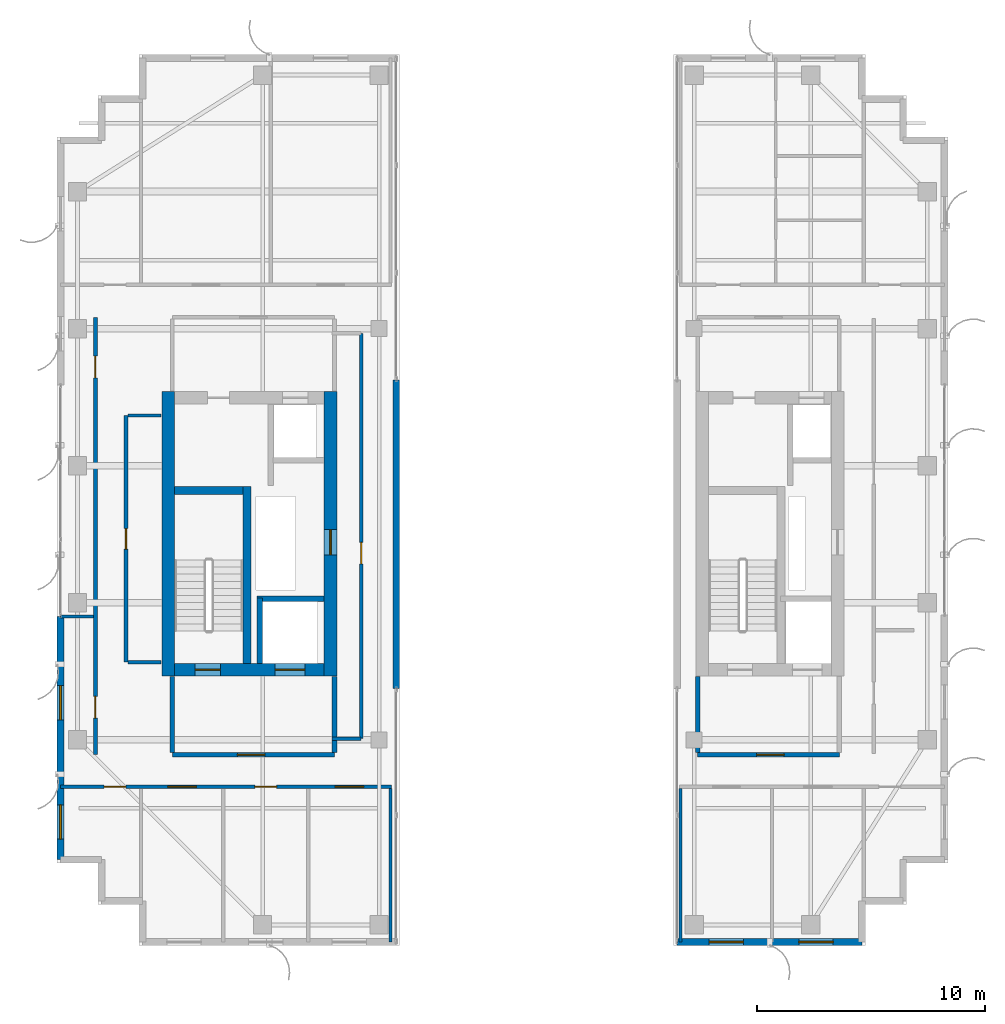
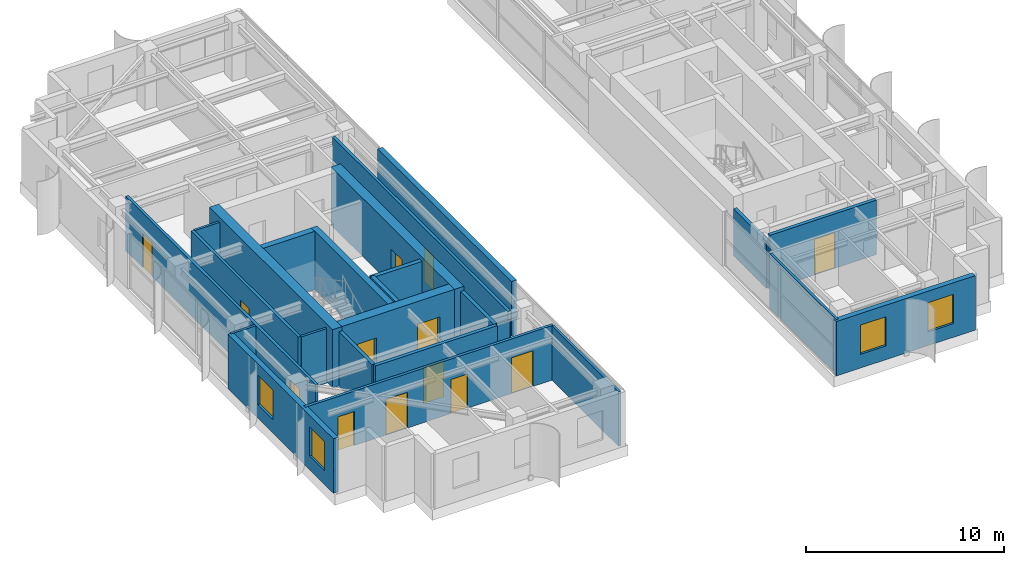
# One storey, part 18 of 24: 25 walls, 13 doors, 4 windows, 17 openings.
"""IFC4 building model written with IfcOpenShell, lengths in metres."""

from ifc_helpers import new_model, si_unit, direction, frame, frame_2d, origin, place, context, subcontext, project, spatial, rectangle, extrude, source, transform, mapped, material, layer, layer_set, type_object, element, fill, save


model = new_model("IFC4")

# Units and contexts
model_context = context("Model", 3, precision=1e-05, world=origin(), true_north=direction((0.0, 1.0)))
body_context = subcontext(model_context, "Body", "Model", "MODEL_VIEW")
ifc_project = project(units=[si_unit("LENGTHUNIT", "METRE"), si_unit("AREAUNIT", "SQUARE_METRE"), si_unit("VOLUMEUNIT", "CUBIC_METRE"), si_unit("PLANEANGLEUNIT", "RADIAN"), si_unit("MASSUNIT", "GRAM", prefix="KILO")], contexts=[model_context])

# Site, building, storey
site_placement = place(None, origin())
site = spatial("IfcSite", under=ifc_project, at=site_placement, CompositionType="ELEMENT")
building_placement = place(site_placement, origin())
building = spatial("IfcBuilding", under=site, at=building_placement, Name="Khoralis Quay Care Tower", CompositionType="ELEMENT")
storey_placement = place(building_placement, frame((0.0, 0.0, 227.699951171875)))
storey = spatial("IfcBuildingStorey", under=building, at=storey_placement, Name="L59", CompositionType="ELEMENT", Elevation=227.699951171875)

# Wall, opening, door
ifc_material_1 = material(Name="Gypsum plasterboard on acoustic metal stud")
ifc_layer_1 = layer(ifc_material_1, 0.199951171875)
ifc_layer_set_1 = layer_set([ifc_layer_1], Name="Gypsum plasterboard on acoustic metal stud")
wall_type_1 = type_object("IfcWallType", Name="WL-COMP-200", PredefinedType="PARTITIONING", material=ifc_layer_set_1)
wall_1_placement = place(storey_placement, frame((8.050048828125, 11.35009765625, 0.0), z_axis=(0.0, 0.0, 1.0), x_axis=(1.0, 0.0, 0.0)))
wall_1 = element("IfcWall", 1, at=wall_1_placement, inside=storey, type_object=wall_type_1, Name="L59 West Firefighting Lobby South Wall", PredefinedType="PARTITIONING", context=body_context, shape_type="SweptSolid", body=[
    extrude(rectangle(XDim=7.099853515625, YDim=0.199951171875, at=frame_2d((3.5498046875, 0.0))), origin(), (0.0, 0.0, 1.0), 3.360107421875),
])
opening_1_placement = place(wall_1_placement, frame((2.846435546875, 0.0, 0.0)))
opening_1 = element("IfcOpeningElement", 2, at=opening_1_placement, cuts=wall_1, Name="Opening FD1", PredefinedType="OPENING", context=body_context, shape_type="SweptSolid", body=[
    extrude(rectangle(XDim=1.199951171875, YDim=2.199951171875, at=frame_2d((0.60009765625, 1.10009765625))), frame((0.0, 0.10986328125, 0.0), z_axis=(0.0, -1.0, 0.0), x_axis=(1.0, 0.0, 0.0)), (0.0, 0.0, 1.0), 0.219970703125),
])
ifc_material_2 = material(Name="Fire-rated painted steel", Category="steel")
door_type_1 = type_object("IfcDoorType", Name="DR-FFL-1200X2200", OperationType="NOTDEFINED", PredefinedType="DOOR", material=ifc_material_2)
shared_shape_1 = source(origin(), body_context, "Body", "SweptSolid", [
    extrude(rectangle(XDim=1.199951171875, YDim=2.199951171875, at=frame_2d((0.60009765625, 1.10009765625))), frame((0.0, 0.02490234375, 0.0), z_axis=(0.0, -1.0, 0.0), x_axis=(1.0, 0.0, 0.0)), (0.0, 0.0, 1.0), 0.050048828125),
])
door_1_placement = place(opening_1_placement, origin())
door_1 = element("IfcDoor", 3, at=door_1_placement, inside=storey, type_object=door_type_1, Name="L59 West Firefighting Lobby Fire Door", OperationType="SINGLE_SWING_LEFT", OverallHeight=2.199951171875, OverallWidth=1.199951171875, PredefinedType="DOOR", context=body_context, shape_type="MappedRepresentation", body=[
    mapped(shared_shape_1, transform((0.0, 0.0, 0.0), scale=1.0)),
])
fill(opening_1, door_1)

# Walls
for number, where, z_axis, x_axis, name in (
    (4, (8.050048828125, 11.445068359375, 0.0), (0.0, 0.0, 1.0), (0.0, 1.0, 0.0), "L59 West Firefighting Lobby West Wall"),
    (5, (15.14990234375, 11.445068359375, 0.0), (0.0, 0.0, 1.0), (0.0, 1.0, 0.0), "L59 West Firefighting Lobby East Wall"),
):
    element("IfcWall", number, at=place(storey_placement, frame(where, z_axis=z_axis, x_axis=x_axis)), inside=storey, type_object=wall_type_1, Name=name, PredefinedType="PARTITIONING", context=body_context, shape_type="SweptSolid", body=[
        extrude(rectangle(XDim=3.3349609375, YDim=0.199951171875, at=frame_2d((1.66748046875, 0.0))), origin(), (0.0, 0.0, 1.0), 3.360107421875),
    ])

# Wall, opening, door
wall_2_placement = place(storey_placement, frame((31.050048828125, 11.35009765625, 0.0), z_axis=(0.0, 0.0, 1.0), x_axis=(1.0, 0.0, 0.0)))
wall_2 = element("IfcWall", 6, at=wall_2_placement, inside=storey, type_object=wall_type_1, Name="L59 East Firefighting Lobby South Wall", PredefinedType="PARTITIONING", context=body_context, shape_type="SweptSolid", body=[
    extrude(rectangle(XDim=6.199951171875, YDim=0.199951171875, at=frame_2d((3.10009765625, 0.0))), origin(), (0.0, 0.0, 1.0), 3.360107421875),
])
opening_2_placement = place(wall_2_placement, frame((2.585693359375, 0.0, 0.0)))
opening_2 = element("IfcOpeningElement", 7, at=opening_2_placement, cuts=wall_2, Name="Opening FD1", PredefinedType="OPENING", context=body_context, shape_type="SweptSolid", body=[
    extrude(rectangle(XDim=1.199951171875, YDim=2.199951171875, at=frame_2d((0.60009765625, 1.10009765625))), frame((0.0, 0.10986328125, 0.0), z_axis=(0.0, -1.0, 0.0), x_axis=(1.0, 0.0, 0.0)), (0.0, 0.0, 1.0), 0.219970703125),
])
door_2_placement = place(opening_2_placement, origin())
door_2 = element("IfcDoor", 8, at=door_2_placement, inside=storey, type_object=door_type_1, Name="L59 East Firefighting Lobby Fire Door", OperationType="SINGLE_SWING_RIGHT", OverallHeight=2.199951171875, OverallWidth=1.199951171875, PredefinedType="DOOR", context=body_context, shape_type="MappedRepresentation", body=[
    mapped(shared_shape_1, transform((0.0, 0.0, 0.0), scale=1.0)),
])
fill(opening_2, door_2)

# Walls
wall_3_placement = place(storey_placement, frame((31.050048828125, 11.445068359375, 0.0), z_axis=(0.0, 0.0, 1.0), x_axis=(0.0, 1.0, 0.0)))
element("IfcWall", 9, at=wall_3_placement, inside=storey, type_object=wall_type_1, Name="L59 East Firefighting Lobby West Wall", PredefinedType="PARTITIONING", context=body_context, shape_type="SweptSolid", body=[
    extrude(rectangle(XDim=3.3349609375, YDim=0.199951171875, at=frame_2d((1.66748046875, 0.0))), origin(), (0.0, 0.0, 1.0), 2.901123046875),
])
ifc_material_3 = material(Name="Concrete C65/80", Category="concrete")
ifc_layer_2 = layer(ifc_material_3, 0.550048828125)
ifc_layer_set_2 = layer_set([ifc_layer_2], Name="Concrete C65/80")
wall_type_2 = type_object("IfcWallType", Name="WL-CORE-550", PredefinedType="SHEAR", material=ifc_layer_set_2)
wall_4_placement = place(storey_placement, frame((7.875, 14.800048828125, 0.0), z_axis=(0.0, 0.0, 1.0), x_axis=(0.0, 1.0, 0.0)))
element("IfcWall", 10, at=wall_4_placement, inside=storey, type_object=wall_type_2, Name="L59 WCORE West Shear Wall", PredefinedType="SHEAR", context=body_context, shape_type="SweptSolid", body=[
    extrude(rectangle(XDim=12.449951171875, YDim=0.550048828125, at=frame_2d((6.22509765625, 0.0))), origin(), (0.0, 0.0, 1.0), 3.60009765625),
])

# Wall, opening, door
wall_5_placement = place(storey_placement, frame((14.97509765625, 14.800048828125, 0.0), z_axis=(0.0, 0.0, 1.0), x_axis=(0.0, 1.0, 0.0)))
wall_5 = element("IfcWall", 11, at=wall_5_placement, inside=storey, type_object=wall_type_2, Name="L59 WCORE East Shear Wall", PredefinedType="SHEAR", context=body_context, shape_type="SweptSolid", body=[
    extrude(rectangle(XDim=12.449951171875, YDim=0.550048828125, at=frame_2d((6.22509765625, 0.0))), origin(), (0.0, 0.0, 1.0), 3.60009765625),
])
opening_3_placement = place(wall_5_placement, frame((5.300048828125, 0.0, 0.0)))
opening_3 = element("IfcOpeningElement", 12, at=opening_3_placement, cuts=wall_5, Name="Opening SD1", PredefinedType="OPENING", context=body_context, shape_type="SweptSolid", body=[
    extrude(rectangle(XDim=1.10009765625, YDim=2.199951171875, at=frame_2d((0.550048828125, 1.10009765625))), frame((0.0, 0.28515625, 0.0), z_axis=(0.0, -1.0, 0.0), x_axis=(1.0, 0.0, 0.0)), (0.0, 0.0, 1.0), 0.570068359375),
])
door_type_2 = type_object("IfcDoorType", Name="DR-STAIR-1100X2200", OperationType="NOTDEFINED", PredefinedType="DOOR", material=ifc_material_2)
shared_shape_2 = source(origin(), body_context, "Body", "SweptSolid", [
    extrude(rectangle(XDim=1.10009765625, YDim=2.199951171875, at=frame_2d((0.550048828125, 1.10009765625))), frame((0.0, 0.02490234375, 0.0), z_axis=(0.0, -1.0, 0.0), x_axis=(1.0, 0.0, 0.0)), (0.0, 0.0, 1.0), 0.050048828125),
])
door_3_placement = place(opening_3_placement, origin())
door_3 = element("IfcDoor", 13, at=door_3_placement, inside=storey, type_object=door_type_2, Name="L59 West MEP Riser Door", OperationType="SINGLE_SWING_LEFT", OverallHeight=2.199951171875, OverallWidth=1.10009765625, PredefinedType="DOOR", context=body_context, shape_type="MappedRepresentation", body=[
    mapped(shared_shape_2, transform((0.0, 0.0, 0.0), scale=1.0)),
])
fill(opening_3, door_3)

# Wall, openings, doors
wall_6_placement = place(storey_placement, frame((8.14990234375, 15.074951171875, 0.0), z_axis=(0.0, 0.0, 1.0), x_axis=(1.0, 0.0, 0.0)))
wall_6 = element("IfcWall", 14, at=wall_6_placement, inside=storey, type_object=wall_type_2, Name="L59 WCORE South Shear Wall", PredefinedType="SHEAR", context=body_context, shape_type="SweptSolid", body=[
    extrude(rectangle(XDim=6.550048828125, YDim=0.550048828125, at=frame_2d((3.27490234375, 0.0))), origin(), (0.0, 0.0, 1.0), 3.60009765625),
])
opening_4_placement = place(wall_6_placement, frame((0.89990234375, 0.0, 0.0)))
opening_4 = element("IfcOpeningElement", 15, at=opening_4_placement, cuts=wall_6, Name="Opening SD1", PredefinedType="OPENING", context=body_context, shape_type="SweptSolid", body=[
    extrude(rectangle(XDim=1.10009765625, YDim=2.199951171875, at=frame_2d((0.550048828125, 1.10009765625))), frame((0.0, 0.28515625, 0.0), z_axis=(0.0, -1.0, 0.0), x_axis=(1.0, 0.0, 0.0)), (0.0, 0.0, 1.0), 0.570068359375),
])
opening_5_placement = place(wall_6_placement, frame((4.39990234375, 0.0, 0.0)))
opening_5 = element("IfcOpeningElement", 16, at=opening_5_placement, cuts=wall_6, Name="Opening LD2", PredefinedType="OPENING", context=body_context, shape_type="SweptSolid", body=[
    extrude(rectangle(XDim=1.300048828125, YDim=2.199951171875, at=frame_2d((0.64990234375, 1.10009765625))), frame((0.0, 0.28515625, 0.0), z_axis=(0.0, -1.0, 0.0), x_axis=(1.0, 0.0, 0.0)), (0.0, 0.0, 1.0), 0.570068359375),
])
door_4_placement = place(opening_4_placement, origin())
door_4 = element("IfcDoor", 17, at=door_4_placement, inside=storey, type_object=door_type_2, Name="L59 Stair ST-T1 Fire Door", OperationType="SINGLE_SWING_LEFT", OverallHeight=2.199951171875, OverallWidth=1.10009765625, PredefinedType="DOOR", context=body_context, shape_type="MappedRepresentation", body=[
    mapped(shared_shape_2, transform((0.0, 0.0, 0.0), scale=1.0)),
])
fill(opening_4, door_4)
ifc_material_4 = material(Name="Brushed stainless steel", Category="steel")
door_type_3 = type_object("IfcDoorType", Name="DR-LIFT-1300X2200", OperationType="SLIDING_TO_RIGHT", PredefinedType="DOOR", material=ifc_material_4)
shared_shape_3 = source(origin(), body_context, "Body", "SweptSolid", [
    extrude(rectangle(XDim=1.300048828125, YDim=2.199951171875, at=frame_2d((0.64990234375, 1.10009765625))), frame((0.0, 0.02490234375, 0.0), z_axis=(0.0, -1.0, 0.0), x_axis=(1.0, 0.0, 0.0)), (0.0, 0.0, 1.0), 0.050048828125),
])
door_5_placement = place(opening_5_placement, origin())
door_5 = element("IfcDoor", 18, at=door_5_placement, inside=storey, type_object=door_type_3, Name="L59 Firefighting Lift FFL-1 Landing Door", OperationType="SLIDING_TO_RIGHT", OverallHeight=2.199951171875, OverallWidth=1.300048828125, PredefinedType="DOOR", context=body_context, shape_type="MappedRepresentation", body=[
    mapped(shared_shape_3, transform((0.0, 0.0, 0.0), scale=1.0)),
])
fill(opening_5, door_5)

# Wall, opening, door
ifc_layer_3 = layer(ifc_material_1, 0.1650390625)
ifc_layer_set_3 = layer_set([ifc_layer_3], Name="Gypsum plasterboard on acoustic metal stud")
wall_type_3 = type_object("IfcWallType", Name="WL-CORR-165", PredefinedType="PARTITIONING", material=ifc_layer_set_3)
wall_7_placement = place(storey_placement, frame((6.02001953125, 15.39990234375, 0.0), z_axis=(0.0, 0.0, 1.0), x_axis=(0.0, 1.0, 0.0)))
wall_7 = element("IfcWall", 19, at=wall_7_placement, inside=storey, type_object=wall_type_3, Name="L59 West Core Service Flank Wall", PredefinedType="PARTITIONING", context=body_context, shape_type="SweptSolid", body=[
    extrude(rectangle(XDim=10.800048828125, YDim=0.1650390625, at=frame_2d((5.39990234375, 0.0))), origin(), (0.0, 0.0, 1.0), 3.360107421875),
])
opening_6_placement = place(wall_7_placement, frame((4.949951171875, 0.0, 0.0)))
opening_6 = element("IfcOpeningElement", 20, at=opening_6_placement, cuts=wall_7, Name="Opening WD1", PredefinedType="OPENING", context=body_context, shape_type="SweptSolid", body=[
    extrude(rectangle(XDim=0.89990234375, YDim=2.10009765625, at=frame_2d((0.449951171875, 1.050048828125))), frame((0.0, 0.092529296875, 0.0), z_axis=(0.0, -1.0, 0.0), x_axis=(1.0, 0.0, 0.0)), (0.0, 0.0, 1.0), 0.18505859375),
])
ifc_material_5 = material(Name="Acoustic hardwood timber", Category="wood")
door_type_4 = type_object("IfcDoorType", Name="DR-BATH-900X2100", OperationType="NOTDEFINED", PredefinedType="DOOR", material=ifc_material_5)
shared_shape_4 = source(origin(), body_context, "Body", "SweptSolid", [
    extrude(rectangle(XDim=0.89990234375, YDim=2.10009765625, at=frame_2d((0.449951171875, 1.050048828125))), frame((0.0, 0.02490234375, 0.0), z_axis=(0.0, -1.0, 0.0), x_axis=(1.0, 0.0, 0.0)), (0.0, 0.0, 1.0), 0.050048828125),
])
door_6_placement = place(opening_6_placement, frame((0.89990234375, 0.0, 0.0), z_axis=(0.0, 0.0, 1.0), x_axis=(-1.0, 0.0, 0.0)))
door_6 = element("IfcDoor", 21, at=door_6_placement, inside=storey, type_object=door_type_4, Name="L59 Housekeeping & Public Accessible WC Door", OperationType="SINGLE_SWING_RIGHT", OverallHeight=2.10009765625, OverallWidth=0.89990234375, PredefinedType="DOOR", context=body_context, shape_type="MappedRepresentation", body=[
    mapped(shared_shape_4, transform((0.0, 0.0, 0.0), scale=1.0)),
])
fill(opening_6, door_6)

# Wall, openings, doors
wall_8_placement = place(storey_placement, frame((3.14501953125, 9.949951171875, 0.0), z_axis=(0.0, 0.0, 1.0), x_axis=(1.0, 0.0, 0.0)))
wall_8 = element("IfcWall", 22, at=wall_8_placement, inside=storey, type_object=wall_type_3, Name="L59 West Wing South Corridor Wall", PredefinedType="PARTITIONING", context=body_context, shape_type="SweptSolid", body=[
    extrude(rectangle(XDim=14.5048828125, YDim=0.1650390625, at=frame_2d((7.25244140625, 0.0))), origin(), (0.0, 0.0, 1.0), 3.360107421875),
])
opening_7_placement = place(wall_8_placement, frame((4.7099609375, 0.0, 0.0)))
opening_7 = element("IfcOpeningElement", 23, at=opening_7_placement, cuts=wall_8, Name="Opening CD1", PredefinedType="OPENING", context=body_context, shape_type="SweptSolid", body=[
    extrude(rectangle(XDim=1.25, YDim=2.199951171875, at=frame_2d((0.625, 1.10009765625))), frame((0.0, 0.092529296875, 0.0), z_axis=(0.0, -1.0, 0.0), x_axis=(1.0, 0.0, 0.0)), (0.0, 0.0, 1.0), 0.18505859375),
])
opening_8_placement = place(wall_8_placement, frame((8.52001953125, 0.0, 0.0)))
opening_8 = element("IfcOpeningElement", 24, at=opening_8_placement, cuts=wall_8, Name="Opening ID1", PredefinedType="OPENING", context=body_context, shape_type="SweptSolid", body=[
    extrude(rectangle(XDim=0.949951171875, YDim=2.10009765625, at=frame_2d((0.47509765625, 1.050048828125))), frame((0.0, 0.092529296875, 0.0), z_axis=(0.0, -1.0, 0.0), x_axis=(1.0, 0.0, 0.0)), (0.0, 0.0, 1.0), 0.18505859375),
])
opening_9_placement = place(wall_8_placement, frame((12.030029296875, 0.0, 0.0)))
opening_9 = element("IfcOpeningElement", 25, at=opening_9_placement, cuts=wall_8, Name="Opening CD1", PredefinedType="OPENING", context=body_context, shape_type="SweptSolid", body=[
    extrude(rectangle(XDim=1.25, YDim=2.199951171875, at=frame_2d((0.625, 1.10009765625))), frame((0.0, 0.092529296875, 0.0), z_axis=(0.0, -1.0, 0.0), x_axis=(1.0, 0.0, 0.0)), (0.0, 0.0, 1.0), 0.18505859375),
])
opening_10_placement = place(wall_8_placement, frame((1.919921875, 0.0, 0.0)))
opening_10 = element("IfcOpeningElement", 26, at=opening_10_placement, cuts=wall_8, Name="Opening ID1", PredefinedType="OPENING", context=body_context, shape_type="SweptSolid", body=[
    extrude(rectangle(XDim=0.949951171875, YDim=2.10009765625, at=frame_2d((0.47509765625, 1.050048828125))), frame((0.0, 0.092529296875, 0.0), z_axis=(0.0, -1.0, 0.0), x_axis=(1.0, 0.0, 0.0)), (0.0, 0.0, 1.0), 0.18505859375),
])
door_type_5 = type_object("IfcDoorType", Name="DR-CARE-1250X2200", OperationType="NOTDEFINED", PredefinedType="DOOR", material=ifc_material_5)
shared_shape_5 = source(origin(), body_context, "Body", "SweptSolid", [
    extrude(rectangle(XDim=1.25, YDim=2.199951171875, at=frame_2d((0.625, 1.10009765625))), frame((0.0, 0.02490234375, 0.0), z_axis=(0.0, -1.0, 0.0), x_axis=(1.0, 0.0, 0.0)), (0.0, 0.0, 1.0), 0.050048828125),
])
door_7_placement = place(opening_7_placement, frame((1.25, 0.0, 0.0), z_axis=(0.0, 0.0, 1.0), x_axis=(-1.0, 0.0, 0.0)))
door_7 = element("IfcDoor", 27, at=door_7_placement, inside=storey, type_object=door_type_5, Name="L59 Geriatric Consultation Clinic Door", OperationType="SINGLE_SWING_RIGHT", OverallHeight=2.199951171875, OverallWidth=1.25, PredefinedType="DOOR", context=body_context, shape_type="MappedRepresentation", body=[
    mapped(shared_shape_5, transform((0.0, 0.0, 0.0), scale=1.0)),
])
fill(opening_7, door_7)
door_8_placement = place(opening_9_placement, frame((1.25, 0.0, 0.0), z_axis=(0.0, 0.0, 1.0), x_axis=(-1.0, 0.0, 0.0)))
door_8 = element("IfcDoor", 28, at=door_8_placement, inside=storey, type_object=door_type_5, Name="L59 Physiotherapy Treatment Clinic Door", OperationType="SINGLE_SWING_RIGHT", OverallHeight=2.199951171875, OverallWidth=1.25, PredefinedType="DOOR", context=body_context, shape_type="MappedRepresentation", body=[
    mapped(shared_shape_5, transform((0.0, 0.0, 0.0), scale=1.0)),
])
fill(opening_9, door_8)
door_type_6 = type_object("IfcDoorType", Name="DR-ROOM-950X2100", OperationType="NOTDEFINED", PredefinedType="DOOR", material=ifc_material_5)
shared_shape_6 = source(origin(), body_context, "Body", "SweptSolid", [
    extrude(rectangle(XDim=0.949951171875, YDim=2.10009765625, at=frame_2d((0.47509765625, 1.050048828125))), frame((0.0, 0.02490234375, 0.0), z_axis=(0.0, -1.0, 0.0), x_axis=(1.0, 0.0, 0.0)), (0.0, 0.0, 1.0), 0.050048828125),
])
door_9_placement = place(opening_8_placement, frame((0.949951171875, 0.0, 0.0), z_axis=(0.0, 0.0, 1.0), x_axis=(-1.0, 0.0, 0.0)))
door_9 = element("IfcDoor", 29, at=door_9_placement, inside=storey, type_object=door_type_6, Name="L59 Care Coordination Office Door", OperationType="SINGLE_SWING_RIGHT", OverallHeight=2.10009765625, OverallWidth=0.949951171875, PredefinedType="DOOR", context=body_context, shape_type="MappedRepresentation", body=[
    mapped(shared_shape_6, transform((0.0, 0.0, 0.0), scale=1.0)),
])
fill(opening_8, door_9)
door_10_placement = place(opening_10_placement, frame((0.949951171875, 0.0, 0.0), z_axis=(0.0, 0.0, 1.0), x_axis=(-1.0, 0.0, 0.0)))
door_10 = element("IfcDoor", 30, at=door_10_placement, inside=storey, type_object=door_type_6, Name="L59 SW Corner Door", OperationType="SINGLE_SWING_LEFT", OverallHeight=2.10009765625, OverallWidth=0.949951171875, PredefinedType="DOOR", context=body_context, shape_type="MappedRepresentation", body=[
    mapped(shared_shape_6, transform((0.0, 0.0, 0.0), scale=1.0)),
])
fill(opening_10, door_10)

wall_9_placement = place(storey_placement, frame((4.679931640625, 11.35009765625, 0.0), z_axis=(0.0, 0.0, 1.0), x_axis=(0.0, 1.0, 0.0)))
wall_9 = element("IfcWall", 31, at=wall_9_placement, inside=storey, type_object=wall_type_3, Name="L59 West Mid South Entry Wall", PredefinedType="PARTITIONING", context=body_context, shape_type="SweptSolid", body=[
    extrude(rectangle(XDim=19.14990234375, YDim=0.1650390625, at=frame_2d((9.574951171875, 0.0))), origin(), (0.0, 0.0, 1.0), 3.360107421875),
])
opening_11_placement = place(wall_9_placement, frame((1.60009765625, 0.0, 0.0)))
opening_11 = element("IfcOpeningElement", 32, at=opening_11_placement, cuts=wall_9, Name="Opening ID1", PredefinedType="OPENING", context=body_context, shape_type="SweptSolid", body=[
    extrude(rectangle(XDim=0.949951171875, YDim=2.10009765625, at=frame_2d((0.47509765625, 1.050048828125))), frame((0.0, 0.092529296875, 0.0), z_axis=(0.0, -1.0, 0.0), x_axis=(1.0, 0.0, 0.0)), (0.0, 0.0, 1.0), 0.18505859375),
])
opening_12_placement = place(wall_9_placement, frame((16.5, 0.0, 0.0)))
opening_12 = element("IfcOpeningElement", 33, at=opening_12_placement, cuts=wall_9, Name="Opening ID1", PredefinedType="OPENING", context=body_context, shape_type="SweptSolid", body=[
    extrude(rectangle(XDim=0.949951171875, YDim=2.10009765625, at=frame_2d((0.47509765625, 1.050048828125))), frame((0.0, 0.092529296875, 0.0), z_axis=(0.0, -1.0, 0.0), x_axis=(1.0, 0.0, 0.0)), (0.0, 0.0, 1.0), 0.18505859375),
])
door_11_placement = place(opening_11_placement, frame((0.949951171875, 0.0, 0.0), z_axis=(0.0, 0.0, 1.0), x_axis=(-1.0, 0.0, 0.0)))
door_11 = element("IfcDoor", 34, at=door_11_placement, inside=storey, type_object=door_type_6, Name="L59 West Waterfront Living Suite Door", OperationType="SINGLE_SWING_LEFT", OverallHeight=2.10009765625, OverallWidth=0.949951171875, PredefinedType="DOOR", context=body_context, shape_type="MappedRepresentation", body=[
    mapped(shared_shape_6, transform((0.0, 0.0, 0.0), scale=1.0)),
])
fill(opening_11, door_11)
door_12_placement = place(opening_12_placement, frame((0.949951171875, 0.0, 0.0), z_axis=(0.0, 0.0, 1.0), x_axis=(-1.0, 0.0, 0.0)))
door_12 = element("IfcDoor", 35, at=door_12_placement, inside=storey, type_object=door_type_6, Name="L59 West Consultation Clinic Door", OperationType="SINGLE_SWING_RIGHT", OverallHeight=2.10009765625, OverallWidth=0.949951171875, PredefinedType="DOOR", context=body_context, shape_type="MappedRepresentation", body=[
    mapped(shared_shape_6, transform((0.0, 0.0, 0.0), scale=1.0)),
])
fill(opening_12, door_12)

# Wall, opening, door
wall_10_placement = place(storey_placement, frame((16.320068359375, 12.050048828125, 0.0), z_axis=(0.0, 0.0, 1.0), x_axis=(0.0, 1.0, 0.0)))
wall_10 = element("IfcWall", 36, at=wall_10_placement, inside=storey, type_object=wall_type_3, Name="L59 Portal Gallery Wall", PredefinedType="PARTITIONING", context=body_context, shape_type="SweptSolid", body=[
    extrude(rectangle(XDim=17.75, YDim=0.1650390625, at=frame_2d((8.875, 0.0))), origin(), (0.0, 0.0, 1.0), 3.360107421875),
])
opening_13_placement = place(wall_10_placement, frame((7.64990234375, 0.0, 0.0)))
opening_13 = element("IfcOpeningElement", 37, at=opening_13_placement, cuts=wall_10, Name="Opening ID1", PredefinedType="OPENING", context=body_context, shape_type="SweptSolid", body=[
    extrude(rectangle(XDim=0.949951171875, YDim=2.10009765625, at=frame_2d((0.47509765625, 1.050048828125))), frame((0.0, 0.092529296875, 0.0), z_axis=(0.0, -1.0, 0.0), x_axis=(1.0, 0.0, 0.0)), (0.0, 0.0, 1.0), 0.18505859375),
])
door_13_placement = place(opening_13_placement, frame((0.949951171875, 0.0, 0.0), z_axis=(0.0, 0.0, 1.0), x_axis=(-1.0, 0.0, 0.0)))
door_13 = element("IfcDoor", 38, at=door_13_placement, inside=storey, type_object=door_type_6, Name="L59 Portal Reading Lounge Door", OperationType="SINGLE_SWING_LEFT", OverallHeight=2.10009765625, OverallWidth=0.949951171875, PredefinedType="DOOR", context=body_context, shape_type="MappedRepresentation", body=[
    mapped(shared_shape_6, transform((0.0, 0.0, 0.0), scale=1.0)),
])
fill(opening_13, door_13)

# Wall
ifc_material_6 = material(Name="Precast concrete C45/55", Category="concrete")
ifc_layer_4 = layer(ifc_material_6, 0.300048828125)
ifc_layer_set_4 = layer_set([ifc_layer_4], Name="Precast concrete C45/55")
wall_type_4 = type_object("IfcWallType", Name="WL-EXT-REF-300", PredefinedType="SOLIDWALL", material=ifc_layer_set_4)
wall_11_placement = place(storey_placement, frame((17.85009765625, 14.25, 0.0), z_axis=(0.0, 0.0, 1.0), x_axis=(0.0, 1.0, 0.0)))
element("IfcWall", 39, at=wall_11_placement, inside=storey, type_object=wall_type_4, Name="L59 External Facade Wall WL-VP-L59-P1-M", PredefinedType="SOLIDWALL", context=body_context, shape_type="SweptSolid", body=[
    extrude(rectangle(XDim=13.5, YDim=0.300048828125, at=frame_2d((6.75, 0.0))), origin(), (0.0, 0.0, 1.0), 3.360107421875),
])

# Wall, openings, windows
wall_12_placement = place(storey_placement, frame((3.14990234375, 17.39990234375, 0.0), z_axis=(0.0, 0.0, 1.0), x_axis=(0.0, -1.0, 0.0)))
wall_12 = element("IfcWall", 40, at=wall_12_placement, inside=storey, type_object=wall_type_4, Name="L59 External Facade Wall WL-EXT-L59-P1-E7B", PredefinedType="SOLIDWALL", context=body_context, shape_type="SweptSolid", body=[
    extrude(rectangle(XDim=10.64990234375, YDim=0.300048828125, at=frame_2d((5.324951171875, 0.0))), origin(), (0.0, 0.0, 1.0), 3.360107421875),
])
opening_14_placement = place(wall_12_placement, frame((3.02490234375, 0.0, 0.85009765625)))
opening_14 = element("IfcOpeningElement", 41, at=opening_14_placement, cuts=wall_12, Name="Opening W3", PredefinedType="OPENING", context=body_context, shape_type="SweptSolid", body=[
    extrude(rectangle(XDim=1.5, YDim=1.800048828125, at=frame_2d((0.75, 0.89990234375))), frame((0.0, 0.16015625, 0.0), z_axis=(0.0, -1.0, 0.0), x_axis=(1.0, 0.0, 0.0)), (0.0, 0.0, 1.0), 0.320068359375),
])
opening_15_placement = place(wall_12_placement, frame((8.25, 0.0, 0.85009765625)))
opening_15 = element("IfcOpeningElement", 42, at=opening_15_placement, cuts=wall_12, Name="Opening W3", PredefinedType="OPENING", context=body_context, shape_type="SweptSolid", body=[
    extrude(rectangle(XDim=1.5, YDim=1.800048828125, at=frame_2d((0.75, 0.89990234375))), frame((0.0, 0.16015625, 0.0), z_axis=(0.0, -1.0, 0.0), x_axis=(1.0, 0.0, 0.0)), (0.0, 0.0, 1.0), 0.320068359375),
])
ifc_material_7 = material(Name="Low-E solar-control double glazing", Category="glass")
window_type = type_object("IfcWindowType", Name="WN-CLIN-1500X1800", PartitioningType="SINGLE_PANEL", PredefinedType="WINDOW", material=ifc_material_7)
shared_shape_7 = source(origin(), body_context, "Body", "SweptSolid", [
    extrude(rectangle(XDim=1.5, YDim=1.800048828125, at=frame_2d((0.75, 0.89990234375))), frame((0.0, 0.030029296875, 0.0), z_axis=(0.0, -1.0, 0.0), x_axis=(1.0, 0.0, 0.0)), (0.0, 0.0, 1.0), 0.06005859375),
])
window_1_placement = place(opening_14_placement, origin())
window_1 = element("IfcWindow", 43, at=window_1_placement, inside=storey, type_object=window_type, Name="WN-L59-P1-E7B Facade Window 01", OverallHeight=1.800048828125, OverallWidth=1.5, PartitioningType="SINGLE_PANEL", PredefinedType="WINDOW", context=body_context, shape_type="MappedRepresentation", body=[
    mapped(shared_shape_7, transform((0.0, 0.0, 0.0), scale=1.0)),
])
fill(opening_14, window_1)
window_2_placement = place(opening_15_placement, origin())
window_2 = element("IfcWindow", 44, at=window_2_placement, inside=storey, type_object=window_type, Name="WN-L59-P1-E7B Facade Window 02", OverallHeight=1.800048828125, OverallWidth=1.5, PartitioningType="SINGLE_PANEL", PredefinedType="WINDOW", context=body_context, shape_type="MappedRepresentation", body=[
    mapped(shared_shape_7, transform((0.0, 0.0, 0.0), scale=1.0)),
])
fill(opening_15, window_2)

wall_13_placement = place(storey_placement, frame((30.14990234375, 3.14990234375, 0.0), z_axis=(0.0, 0.0, 1.0), x_axis=(1.0, 0.0, 0.0)))
wall_13 = element("IfcWall", 45, at=wall_13_placement, inside=storey, type_object=wall_type_4, Name="L59 External Facade Wall WL-EXT-L59-P2-E0", PredefinedType="SOLIDWALL", context=body_context, shape_type="SweptSolid", body=[
    extrude(rectangle(XDim=8.10009765625, YDim=0.300048828125, at=frame_2d((4.050048828125, 0.0))), origin(), (0.0, 0.0, 1.0), 3.360107421875),
])
opening_16_placement = place(wall_13_placement, frame((1.405029296875, 0.0, 0.85009765625)))
opening_16 = element("IfcOpeningElement", 46, at=opening_16_placement, cuts=wall_13, Name="Opening W3", PredefinedType="OPENING", context=body_context, shape_type="SweptSolid", body=[
    extrude(rectangle(XDim=1.5, YDim=1.800048828125, at=frame_2d((0.75, 0.89990234375))), frame((0.0, 0.16015625, 0.0), z_axis=(0.0, -1.0, 0.0), x_axis=(1.0, 0.0, 0.0)), (0.0, 0.0, 1.0), 0.320068359375),
])
opening_17_placement = place(wall_13_placement, frame((5.330078125, 0.0, 0.85009765625)))
opening_17 = element("IfcOpeningElement", 47, at=opening_17_placement, cuts=wall_13, Name="Opening W3", PredefinedType="OPENING", context=body_context, shape_type="SweptSolid", body=[
    extrude(rectangle(XDim=1.5, YDim=1.800048828125, at=frame_2d((0.75, 0.89990234375))), frame((0.0, 0.16015625, 0.0), z_axis=(0.0, -1.0, 0.0), x_axis=(1.0, 0.0, 0.0)), (0.0, 0.0, 1.0), 0.320068359375),
])
window_3_placement = place(opening_16_placement, origin())
window_3 = element("IfcWindow", 48, at=window_3_placement, inside=storey, type_object=window_type, Name="WN-L59-P2-E0 Facade Window 01", OverallHeight=1.800048828125, OverallWidth=1.5, PartitioningType="SINGLE_PANEL", PredefinedType="WINDOW", context=body_context, shape_type="MappedRepresentation", body=[
    mapped(shared_shape_7, transform((0.0, 0.0, 0.0), scale=1.0)),
])
fill(opening_16, window_3)
window_4_placement = place(opening_17_placement, origin())
window_4 = element("IfcWindow", 49, at=window_4_placement, inside=storey, type_object=window_type, Name="WN-L59-P2-E0 Facade Window 02", OverallHeight=1.800048828125, OverallWidth=1.5, PartitioningType="SINGLE_PANEL", PredefinedType="WINDOW", context=body_context, shape_type="MappedRepresentation", body=[
    mapped(shared_shape_7, transform((0.0, 0.0, 0.0), scale=1.0)),
])
fill(opening_17, window_4)

# Walls
ifc_material_8 = material(Name="Concrete C40/50", Category="concrete")
ifc_layer_5 = layer(ifc_material_8, 0.35009765625)
ifc_layer_set_5 = layer_set([ifc_layer_5], Name="Concrete C40/50")
wall_type_5 = type_object("IfcWallType", Name="WL-SC-CORE-350", PredefinedType="SHEAR", material=ifc_layer_set_5)
wall_14_placement = place(storey_placement, frame((11.324951171875, 15.35009765625, 0.0), z_axis=(0.0, 0.0, 1.0), x_axis=(0.0, 1.0, 0.0)))
element("IfcWall", 50, at=wall_14_placement, inside=storey, type_object=wall_type_5, Name="L59 Stair ST-T1 Shear Baffle Wall East", PredefinedType="SHEAR", context=body_context, shape_type="SweptSolid", body=[
    extrude(rectangle(XDim=7.75, YDim=0.35009765625, at=frame_2d((3.875, 0.0))), origin(), (0.0, 0.0, 1.0), 3.60009765625),
])
wall_15_placement = place(storey_placement, frame((8.14990234375, 22.925048828125, 0.0), z_axis=(0.0, 0.0, 1.0), x_axis=(1.0, 0.0, 0.0)))
element("IfcWall", 51, at=wall_15_placement, inside=storey, type_object=wall_type_5, Name="L59 Stair ST-T1 Shear Baffle Wall North", PredefinedType="SHEAR", context=body_context, shape_type="SweptSolid", body=[
    extrude(rectangle(XDim=3.0, YDim=0.35009765625, at=frame_2d((1.5, 0.0))), origin(), (0.0, 0.0, 1.0), 3.60009765625),
])
ifc_layer_6 = layer(ifc_material_1, 0.239990234375)
ifc_layer_set_6 = layer_set([ifc_layer_6], Name="Gypsum plasterboard on acoustic metal stud")
wall_type_6 = type_object("IfcWallType", Name="WL-SHAFT-240", PredefinedType="PARTITIONING", material=ifc_layer_set_6)
wall_16_placement = place(storey_placement, frame((11.8798828125, 15.35009765625, 0.0), z_axis=(0.0, 0.0, 1.0), x_axis=(0.0, 1.0, 0.0)))
element("IfcWall", 52, at=wall_16_placement, inside=storey, type_object=wall_type_6, Name="L59 FFL-1 Shaft Wall West", PredefinedType="PARTITIONING", context=body_context, shape_type="SweptSolid", body=[
    extrude(rectangle(XDim=2.849853515625, YDim=0.239990234375, at=frame_2d((1.4248046875, 0.0))), origin(), (0.0, 0.0, 1.0), 3.360107421875),
])
wall_17_placement = place(storey_placement, frame((11.760009765625, 18.169921875, 0.0), z_axis=(0.0, 0.0, 1.0), x_axis=(1.0, 0.0, 0.0)))
element("IfcWall", 53, at=wall_17_placement, inside=storey, type_object=wall_type_6, Name="L59 FFL-1 Shaft Wall North", PredefinedType="PARTITIONING", context=body_context, shape_type="SweptSolid", body=[
    extrude(rectangle(XDim=2.919921875, YDim=0.239990234375, at=frame_2d((1.4599609375, 0.0))), origin(), (0.0, 0.0, 1.0), 3.360107421875),
])
ifc_layer_7 = layer(ifc_material_1, 0.139892578125)
ifc_layer_set_7 = layer_set([ifc_layer_7], Name="Gypsum plasterboard on acoustic metal stud")
wall_type_7 = type_object("IfcWallType", Name="WL-UNIT-140", PredefinedType="PARTITIONING", material=ifc_layer_set_7)
for number, where, z_axis, x_axis, name in (
    (54, (6.097412109375, 15.39990234375, 0.0), (0.0, 0.0, 1.0), (1.0, 0.0, 0.0), "L59 West Flank South Cap"),
    (55, (6.097412109375, 26.199951171875, 0.0), (0.0, 0.0, 1.0), (1.0, 0.0, 0.0), "L59 West Flank North Cap"),
):
    element("IfcWall", number, at=place(storey_placement, frame(where, z_axis=z_axis, x_axis=x_axis)), inside=storey, type_object=wall_type_7, Name=name, PredefinedType="PARTITIONING", context=body_context, shape_type="SweptSolid", body=[
        extrude(rectangle(XDim=1.462646484375, YDim=0.139892578125, at=frame_2d((0.7314453125, 0.0))), origin(), (0.0, 0.0, 1.0), 3.360107421875),
    ])
wall_18_placement = place(storey_placement, frame((3.14501953125, 17.39990234375, 0.0), z_axis=(0.0, 0.0, 1.0), x_axis=(1.0, 0.0, 0.0)))
element("IfcWall", 56, at=wall_18_placement, inside=storey, type_object=wall_type_7, Name="L59 West Mid Split", PredefinedType="PARTITIONING", context=body_context, shape_type="SweptSolid", body=[
    extrude(rectangle(XDim=1.45751953125, YDim=0.139892578125, at=frame_2d((0.728759765625, 0.0))), origin(), (0.0, 0.0, 1.0), 3.360107421875),
])
for number, where, z_axis, x_axis, name in (
    (57, (17.60009765625, 3.14501953125, 0.0), (0.0, 0.0, 1.0), (0.0, 1.0, 0.0), "L59 WS Demising Wall 3"),
    (58, (30.300048828125, 3.14501953125, 0.0), (0.0, 0.0, 1.0), (0.0, 1.0, 0.0), "L59 ES Demising Wall 0"),
):
    element("IfcWall", number, at=place(storey_placement, frame(where, z_axis=z_axis, x_axis=x_axis)), inside=storey, type_object=wall_type_7, Name=name, PredefinedType="PARTITIONING", context=body_context, shape_type="SweptSolid", body=[
        extrude(rectangle(XDim=6.7275390625, YDim=0.139892578125, at=frame_2d((3.36376953125, 0.0))), origin(), (0.0, 0.0, 1.0), 3.360107421875),
    ])
wall_19_placement = place(storey_placement, frame((15.050048828125, 12.050048828125, 0.0), z_axis=(0.0, 0.0, 1.0), x_axis=(1.0, 0.0, 0.0)))
element("IfcWall", 59, at=wall_19_placement, inside=storey, type_object=wall_type_7, Name="L59 Portal Alcove South Wall", PredefinedType="PARTITIONING", context=body_context, shape_type="SweptSolid", body=[
    extrude(rectangle(XDim=1.27001953125, YDim=0.139892578125, at=frame_2d((0.635009765625, 0.0))), origin(), (0.0, 0.0, 1.0), 2.860107421875),
])

save(model, "model.ifc")
